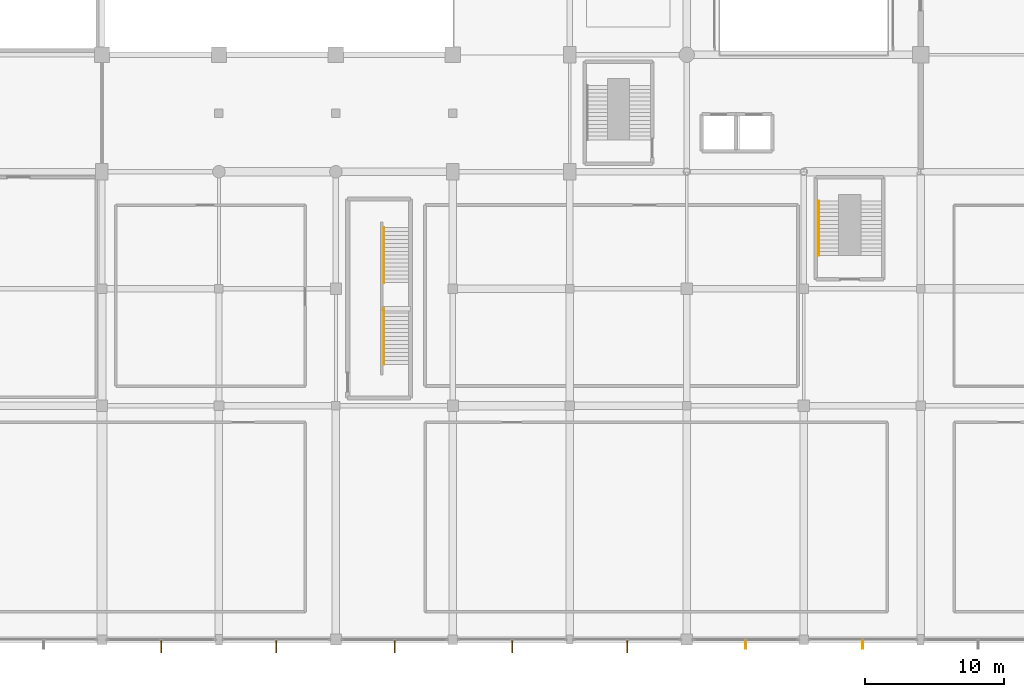
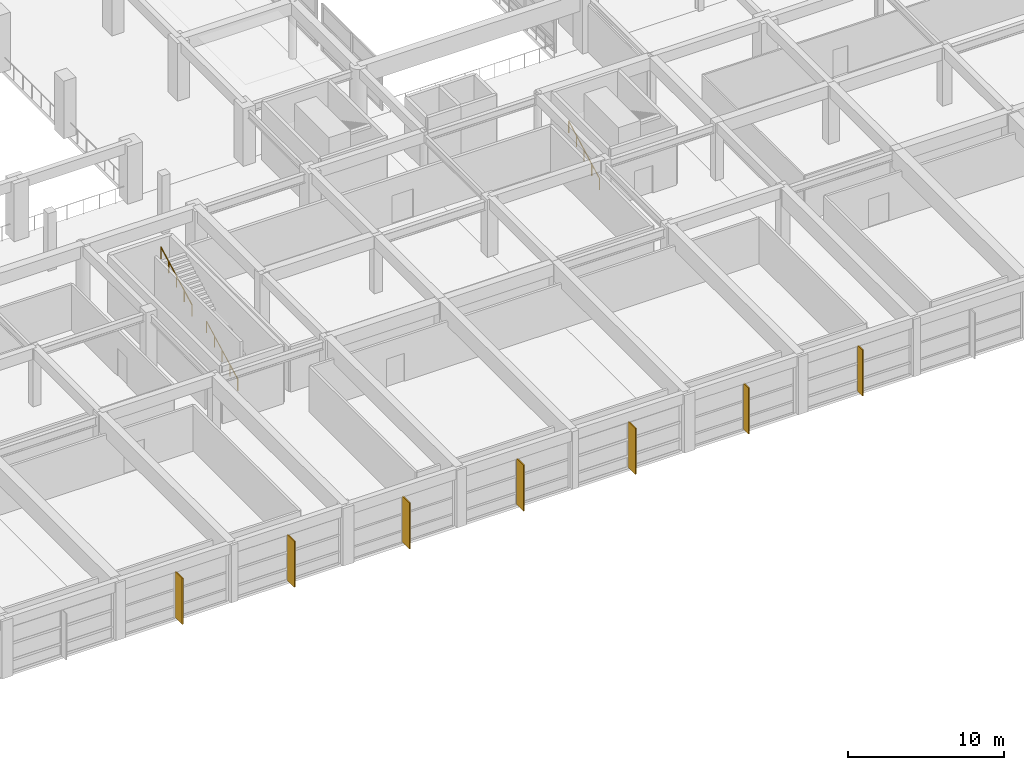
# One storey, part 60 of 65: 7 shading devices, 3 railings.
"""IFC4 building model written with IfcOpenShell, lengths in metres."""

from ifc_helpers import new_model, si_unit, direction, frame, origin, origin_2d, place, context, subcontext, project, spatial, rectangle, circle, extrude, material, type_object, element, save


model = new_model("IFC4")

# Units and contexts
model_context = context("Model", 3, precision=1e-05, world=origin(), true_north=direction((0.0, 1.0)))
body_context = subcontext(model_context, "Body", "Model", "MODEL_VIEW")
ifc_project = project(units=[si_unit("LENGTHUNIT", "METRE"), si_unit("AREAUNIT", "SQUARE_METRE"), si_unit("VOLUMEUNIT", "CUBIC_METRE"), si_unit("PLANEANGLEUNIT", "RADIAN"), si_unit("MASSUNIT", "GRAM", prefix="KILO")], contexts=[model_context])

# Site, building, storey
site_placement = place(None, origin())
site = spatial("IfcSite", under=ifc_project, at=site_placement, CompositionType="ELEMENT")
building_placement = place(site_placement, origin())
building = spatial("IfcBuilding", under=site, at=building_placement, Name="Xuanlan Plaza Opera House", CompositionType="ELEMENT")
storey_placement = place(building_placement, frame((0.0, 0.0, 5.39990234375)))
storey = spatial("IfcBuildingStorey", under=building, at=storey_placement, Name="L01", CompositionType="ELEMENT", Elevation=5.39990234375)

# Shading devices
ifc_material_1 = material(Name="Anodised Aluminium 6063-T6", Category="aluminium")
shading_device_type_1 = type_object("IfcShadingDeviceType", Name="ENV-SHD-BRS01", PredefinedType="JALOUSIE", material=ifc_material_1)
for number, where, z_axis, x_axis, name in (
    (1, (113.425048828125, -0.324951171875, 0.0400390625), (0.0, 0.0, 1.0), (0.0, -1.0, 0.0), "Parametric Sunshade Fin L01-0049"),
    (2, (121.85009765625, -0.324951171875, 0.0400390625), (0.0, 0.0, 1.0), (0.0, -1.0, 0.0), "Parametric Sunshade Fin L01-0050"),
):
    element("IfcShadingDevice", number, at=place(storey_placement, frame(where, z_axis=z_axis, x_axis=x_axis)), inside=storey, type_object=shading_device_type_1, Name=name, PredefinedType="JALOUSIE", context=body_context, shape_type="SweptSolid", body=[
        extrude(rectangle(XDim=0.639892578125, YDim=0.070068359375, at=origin_2d()), origin(), (0.0, 0.0, 1.0), 3.60009765625),
    ])
shading_device_type_2 = type_object("IfcShadingDeviceType", Name="ENV-SHD-BRS02", PredefinedType="JALOUSIE", material=ifc_material_1)
for number, where, z_axis, x_axis, name in (
    (3, (71.449951171875, -0.465087890625, 0.0400390625), (0.0, 0.0, 1.0), (0.0, -1.0, 0.0), "Parametric Sunshade Fin L01-0044"),
    (4, (79.72509765625, -0.465087890625, 0.0400390625), (0.0, 0.0, 1.0), (0.0, -1.0, 0.0), "Parametric Sunshade Fin L01-0045"),
    (5, (88.22509765625, -0.465087890625, 0.0400390625), (0.0, 0.0, 1.0), (0.0, -1.0, 0.0), "Parametric Sunshade Fin L01-0046"),
    (6, (96.66259765625, -0.465087890625, 0.0400390625), (0.0, 0.0, 1.0), (0.0, -1.0, 0.0), "Parametric Sunshade Fin L01-0047"),
    (7, (104.91259765625, -0.465087890625, 0.0400390625), (0.0, 0.0, 1.0), (0.0, -1.0, 0.0), "Parametric Sunshade Fin L01-0048"),
):
    element("IfcShadingDevice", number, at=place(storey_placement, frame(where, z_axis=z_axis, x_axis=x_axis)), inside=storey, type_object=shading_device_type_2, Name=name, PredefinedType="JALOUSIE", context=body_context, shape_type="SweptSolid", body=[
        extrude(rectangle(XDim=0.919921875, YDim=0.080078125, at=origin_2d()), origin(), (0.0, 0.0, 1.0), 3.60009765625),
    ])

# Railings
ifc_material_2 = material(Name="Stainless Steel S30408", Category="steel")
railing_type_1 = type_object("IfcRailingType", Name="INT-RL-HR01", PredefinedType="HANDRAIL", material=ifc_material_2)
for number, where, name in (
    (8, (87.4599609375, 19.77001953125, 0.150146484375), "Stair Handrail ST-P3 L01 Flight 1"),
    (9, (87.4599609375, 25.610107421875, 2.400146484375), "Stair Handrail ST-P3 L01 Flight 2"),
):
    element("IfcRailing", number, at=place(storey_placement, frame(where)), inside=storey, type_object=railing_type_1, Name=name, PredefinedType="HANDRAIL", context=body_context, shape_type="SweptSolid", body=[
        extrude(circle(Radius=0.02392578125, at=origin_2d()), frame((0.0, 0.0, 0.8759765625), z_axis=(0.0, 0.884931142248, 0.465721884261), x_axis=(-1.0, 0.0, 0.0)), (0.0, 0.0, 1.0), 4.5087890625),
        extrude(circle(Radius=0.02099609375, at=origin_2d()), origin(), (0.0, 0.0, 1.0), 0.851806640625),
        extrude(circle(Radius=0.02099609375, at=origin_2d()), frame((0.0, 0.99755859375, 0.52490234375)), (0.0, 0.0, 1.0), 0.851806640625),
        extrude(circle(Radius=0.02099609375, at=origin_2d()), frame((0.0, 1.9951171875, 1.0498046875)), (0.0, 0.0, 1.0), 0.851806640625),
        extrude(circle(Radius=0.02099609375, at=origin_2d()), frame((0.0, 2.992431640625, 1.574951171875)), (0.0, 0.0, 1.0), 0.851806640625),
        extrude(circle(Radius=0.02099609375, at=origin_2d()), frame((0.0, 3.989990234375, 2.099853515625)), (0.0, 0.0, 1.0), 0.851806640625),
    ])
railing_type_2 = type_object("IfcRailingType", Name="INT-RL-HR02", PredefinedType="HANDRAIL", material=ifc_material_2)
railing_placement = place(storey_placement, frame((118.679931640625, 27.580078125, 0.150146484375)))
element("IfcRailing", 10, at=railing_placement, inside=storey, type_object=railing_type_2, Name="Feature Stair Handrail ST-F3 L01 Flight 1", PredefinedType="HANDRAIL", context=body_context, shape_type="SweptSolid", body=[
    extrude(circle(Radius=0.02392578125, at=origin_2d()), frame((0.0, 0.0, 0.89599609375), z_axis=(0.0, 0.881489763865, 0.472203130232), x_axis=(-1.0, 0.0, 0.0)), (0.0, 0.0, 1.0), 4.447021484375),
    extrude(circle(Radius=0.02099609375, at=origin_2d()), origin(), (0.0, 0.0, 1.0), 0.871826171875),
    extrude(circle(Radius=0.02099609375, at=origin_2d()), frame((0.0, 0.97998046875, 0.52490234375)), (0.0, 0.0, 1.0), 0.871826171875),
    extrude(circle(Radius=0.02099609375, at=origin_2d()), frame((0.0, 1.9599609375, 1.0498046875)), (0.0, 0.0, 1.0), 0.871826171875),
    extrude(circle(Radius=0.02099609375, at=origin_2d()), frame((0.0, 2.93994140625, 1.574951171875)), (0.0, 0.0, 1.0), 0.871826171875),
    extrude(circle(Radius=0.02099609375, at=origin_2d()), frame((0.0, 3.919921875, 2.099853515625)), (0.0, 0.0, 1.0), 0.871826171875),
])

save(model, "model.ifc")
